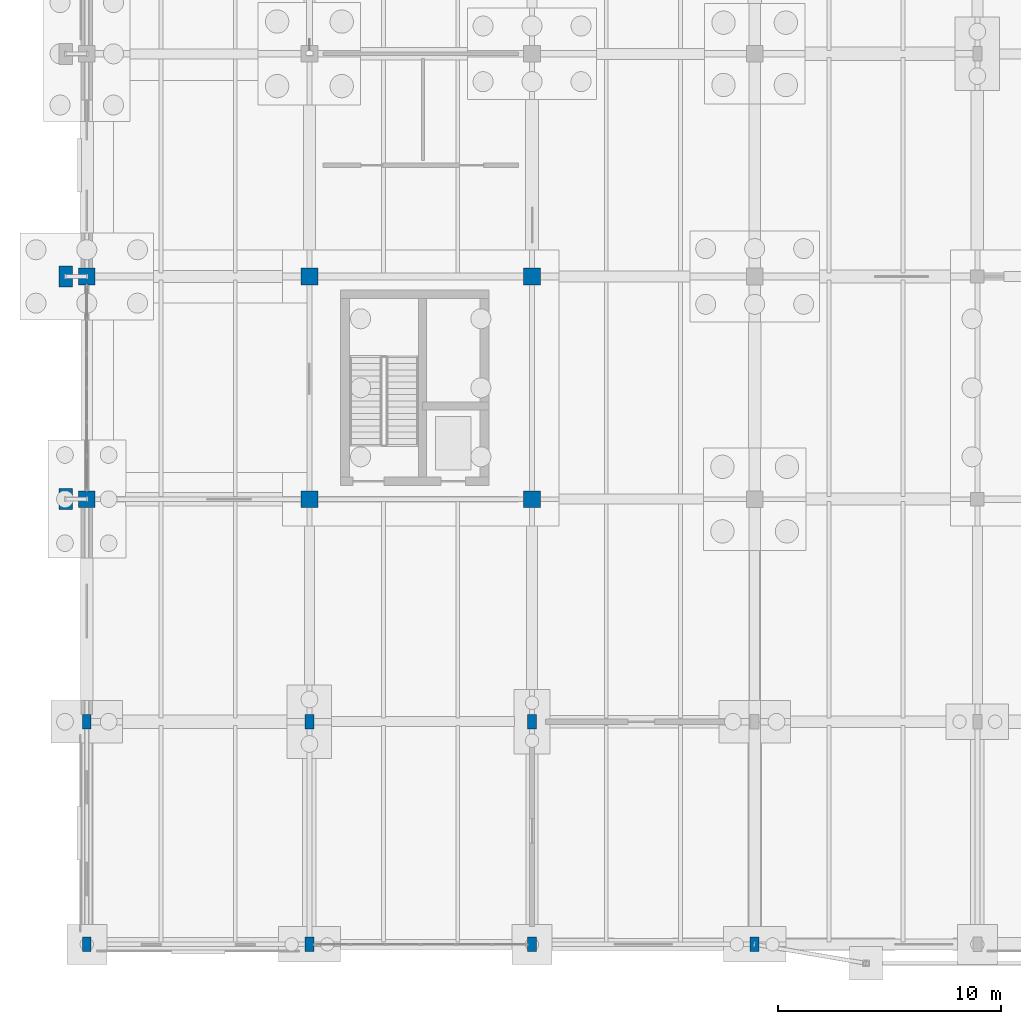
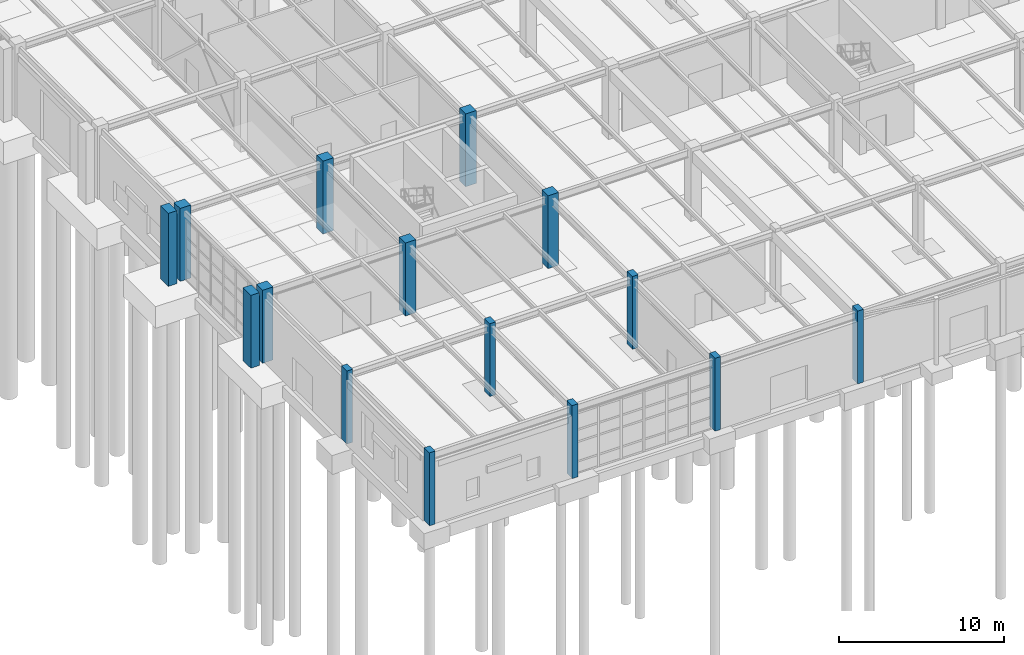
# One storey, part 10 of 145: 15 columns.
"""IFC4 building model written with IfcOpenShell, lengths in metres."""

from ifc_helpers import new_model, si_unit, direction, frame, origin, origin_2d, place, context, subcontext, project, spatial, rectangle, extrude, material, material_profile, profile_set, type_object, element, save


model = new_model("IFC4")

# Units and contexts
model_context = context("Model", 3, precision=1e-05, world=origin(), true_north=direction((0.0, 1.0)))
body_context = subcontext(model_context, "Body", "Model", "MODEL_VIEW")
ifc_project = project(units=[si_unit("LENGTHUNIT", "METRE"), si_unit("AREAUNIT", "SQUARE_METRE"), si_unit("VOLUMEUNIT", "CUBIC_METRE"), si_unit("PLANEANGLEUNIT", "RADIAN"), si_unit("MASSUNIT", "GRAM", prefix="KILO"), si_unit("THERMODYNAMICTEMPERATUREUNIT", "KELVIN"), si_unit("POWERUNIT", "WATT")], contexts=[model_context])

# Site, building, storey
site_placement = place(None, origin())
site = spatial("IfcSite", under=ifc_project, at=site_placement, CompositionType="ELEMENT")
building_placement = place(site_placement, origin())
building = spatial("IfcBuilding", under=site, at=building_placement, Name="Korenveer Ferry Terminal", CompositionType="ELEMENT")
storey_placement = place(building_placement, origin())
storey = spatial("IfcBuildingStorey", under=building, at=storey_placement, Name="L00", CompositionType="ELEMENT", Elevation=0.0)

# Columns
ifc_material_1 = material(Name="Concrete C45/55", Category="concrete")
ifc_material_profile_1 = material_profile(ifc_material_1, rectangle(XDim=0.39990234375, YDim=0.64990234375, at=origin_2d()), Name="RC 400x650")
ifc_profile_set_1 = profile_set([ifc_material_profile_1], Name="Concrete C45/55")
column_type_1 = type_object("IfcColumnType", Name="STR-COL-RC400X650", PredefinedType="COLUMN", material=ifc_profile_set_1)
for number, where, z_axis, x_axis, name in (
    (1, (0.0, 0.0, 0.0), (0.0, 0.0, 1.0), (1.0, 0.0, 0.0), "Column COL-L00-X0-Y0"),
    (2, (0.0, 10.0, 0.0), (0.0, 0.0, 1.0), (1.0, 0.0, 0.0), "Column COL-L00-X0-Y10"),
    (3, (10.0, 0.0, 0.0), (0.0, 0.0, 1.0), (1.0, 0.0, 0.0), "Column COL-L00-X10-Y0"),
    (4, (10.0, 10.0, 0.0), (0.0, 0.0, 1.0), (1.0, 0.0, 0.0), "Column COL-L00-X10-Y10"),
    (5, (20.0, 0.0, 0.0), (0.0, 0.0, 1.0), (1.0, 0.0, 0.0), "Column COL-L00-X20-Y0"),
    (6, (20.0, 10.0, 0.0), (0.0, 0.0, 1.0), (1.0, 0.0, 0.0), "Column COL-L00-X20-Y10"),
    (7, (30.0, 0.0, 0.0), (0.0, 0.0, 1.0), (1.0, 0.0, 0.0), "Column COL-L00-X30-Y0"),
):
    element("IfcColumn", number, at=place(storey_placement, frame(where, z_axis=z_axis, x_axis=x_axis)), inside=storey, type_object=column_type_1, Name=name, PredefinedType="COLUMN", context=body_context, shape_type="SweptSolid", body=[
        extrude(rectangle(XDim=0.39990234375, YDim=0.64990234375, at=origin_2d()), origin(), (0.0, 0.0, 1.0), 5.39990234375),
    ])
ifc_material_profile_2 = material_profile(ifc_material_1, rectangle(XDim=0.75, YDim=0.75, at=origin_2d()), Name="RC 750x750")
ifc_profile_set_2 = profile_set([ifc_material_profile_2], Name="Concrete C45/55")
column_type_2 = type_object("IfcColumnType", Name="STR-COL-RC750", PredefinedType="COLUMN", material=ifc_profile_set_2)
for number, where, z_axis, x_axis, name in (
    (8, (0.0, 20.0, 0.0), (0.0, 0.0, 1.0), (1.0, 0.0, 0.0), "Column COL-L00-X0-Y20"),
    (9, (0.0, 30.0, 0.0), (0.0, 0.0, 1.0), (1.0, 0.0, 0.0), "Column COL-L00-X0-Y30"),
    (10, (10.0, 20.0, 0.0), (0.0, 0.0, 1.0), (1.0, 0.0, 0.0), "Column COL-L00-X10-Y20"),
    (11, (10.0, 30.0, 0.0), (0.0, 0.0, 1.0), (1.0, 0.0, 0.0), "Column COL-L00-X10-Y30"),
    (12, (20.0, 20.0, 0.0), (0.0, 0.0, 1.0), (1.0, 0.0, 0.0), "Column COL-L00-X20-Y20"),
    (13, (20.0, 30.0, 0.0), (0.0, 0.0, 1.0), (1.0, 0.0, 0.0), "Column COL-L00-X20-Y30"),
):
    element("IfcColumn", number, at=place(storey_placement, frame(where, z_axis=z_axis, x_axis=x_axis)), inside=storey, type_object=column_type_2, Name=name, PredefinedType="COLUMN", context=body_context, shape_type="SweptSolid", body=[
        extrude(rectangle(XDim=0.75, YDim=0.75, at=origin_2d()), origin(), (0.0, 0.0, 1.0), 5.39990234375),
    ])
ifc_material_2 = material(Name="Precast concrete C45/55", Category="concrete")
ifc_material_profile_3 = material_profile(ifc_material_2, rectangle(XDim=0.60009765625, YDim=0.949951171875, at=origin_2d()), Name="RC 600x950")
ifc_profile_set_3 = profile_set([ifc_material_profile_3], Name="Precast concrete C45/55")
column_type_3 = type_object("IfcColumnType", Name="STR-PIL-STONE600", PredefinedType="PILASTER", material=ifc_profile_set_3)
for number, where, z_axis, x_axis, name in (
    (14, (-0.949951171875, 20.0, 0.0), (0.0, 0.0, 1.0), (1.0, 0.0, 0.0), "Buttress pilaster 1"),
    (15, (-0.949951171875, 30.0, 0.0), (0.0, 0.0, 1.0), (1.0, 0.0, 0.0), "Buttress pilaster 4"),
):
    element("IfcColumn", number, at=place(storey_placement, frame(where, z_axis=z_axis, x_axis=x_axis)), inside=storey, type_object=column_type_3, Name=name, PredefinedType="PILASTER", context=body_context, shape_type="SweptSolid", body=[
        extrude(rectangle(XDim=0.60009765625, YDim=0.949951171875, at=origin_2d()), origin(), (0.0, 0.0, 1.0), 5.39990234375),
    ])

save(model, "model.ifc")
